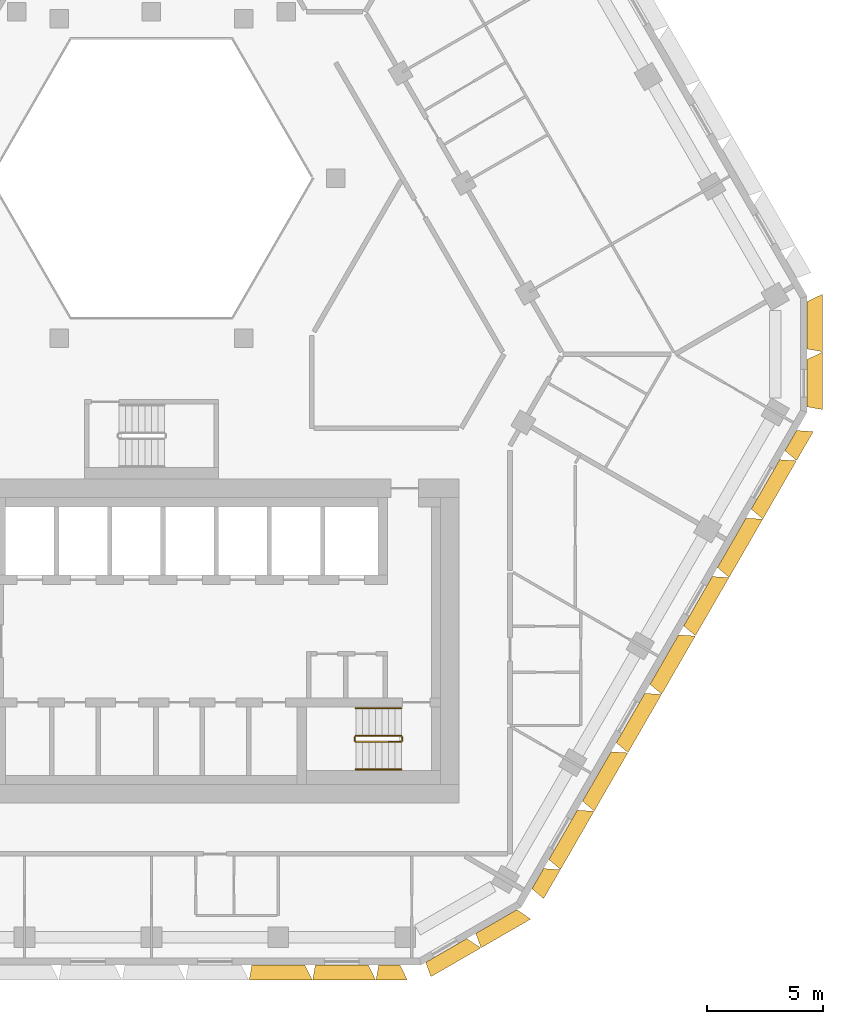
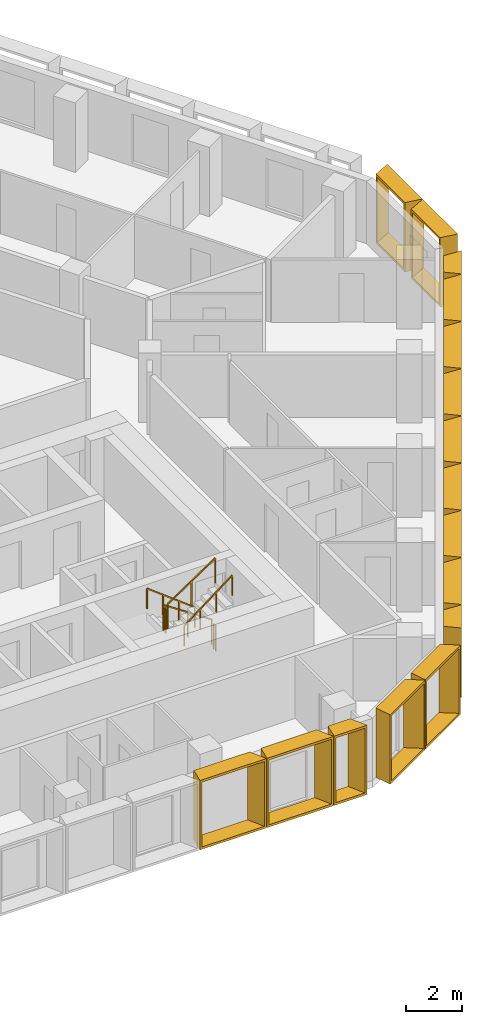
# One storey, part 14 of 15: 16 shading devices, 6 railings.
"""IFC4 building model written with IfcOpenShell, lengths in metres."""

import ifcopenshell
import ifcopenshell.guid

model = None  # the IFC model being written
_history = None  # IfcOwnerHistory: only IFC2X3 demands one
_inside = {}  # id of a spatial element -> (the spatial element, [elements in it])
_under = {}  # id of a project, library or spatial element -> (it, [spatial elements below it])
_declared = {}  # id of a project -> (the project, [libraries it declares])
_typed = {}  # id of a type object -> (the type object, [elements of that type])
_made_of = {}  # id of a material, layer set ... -> (it, [elements and type objects made of it])


def new_model(schema):
    """Start an empty IFC model of exactly this schema.

    Asked for "IFC4X3", IfcOpenShell would pick the latest addendum, in which some entities
    have other attributes; the version numbers below select the first issue.
    IFC2X3 requires an IfcOwnerHistory on every rooted entity: one is made here for all.
    """
    global model, _history
    if schema == "IFC4X3":
        model = ifcopenshell.file(schema_version=(4, 3, 0, 0))
    else:
        model = ifcopenshell.file(schema=schema)
    _inside.clear()
    _under.clear()
    _declared.clear()
    _typed.clear()
    _made_of.clear()
    _history = None
    if model.schema == "IFC2X3":
        org = make("IfcOrganization", Name="unknown")
        user = make(
            "IfcPersonAndOrganization",
            ThePerson=make("IfcPerson", FamilyName="unknown"),
            TheOrganization=org,
        )
        app = make(
            "IfcApplication",
            ApplicationDeveloper=org,
            Version="unknown",
            ApplicationFullName="unknown",
            ApplicationIdentifier="unknown",
        )
        _history = make(
            "IfcOwnerHistory",
            OwningUser=user,
            OwningApplication=app,
            ChangeAction="ADDED",
            CreationDate=0,
        )
    return model


def make(cls, **values):
    """One entity of the class cls with the attributes given. An attribute that is None is left unset."""
    return model.create_entity(
        cls, **{name: value for name, value in values.items() if value is not None}
    )


def entity(cls, *values):
    """Any entity or typed value of the class cls, its attributes in the order of the schema. None: left unset."""
    e = model.create_entity(cls)
    for i, value in enumerate(values):
        if value is not None:
            e[i] = value
    return e


def rooted(cls, **values):
    """An entity with a GlobalId (a new one), such as an element, a storey or a relation."""
    return make(cls, GlobalId=ifcopenshell.guid.new(), OwnerHistory=_history, **values)


def si_unit(unit_type, name, prefix=None):
    """IfcSIUnit, for example si_unit("LENGTHUNIT", "METRE", prefix="MILLI")."""
    return make("IfcSIUnit", UnitType=unit_type, Prefix=prefix, Name=name)


def assignment(units):
    """IfcUnitAssignment: the units of a project."""
    return None if units is None else make("IfcUnitAssignment", Units=units)


def point(xyz):
    """IfcCartesianPoint."""
    return None if xyz is None else make("IfcCartesianPoint", Coordinates=xyz)


def direction(xyz):
    """IfcDirection."""
    return None if xyz is None else make("IfcDirection", DirectionRatios=xyz)


def frame(location, z_axis=None, x_axis=None):
    """IfcAxis2Placement3D, a coordinate frame: its origin and axes. An axis left out is left unset."""
    return make(
        "IfcAxis2Placement3D",
        Location=point(location),
        Axis=direction(z_axis),
        RefDirection=direction(x_axis),
    )


def frame_2d(location, x_axis=None):
    """IfcAxis2Placement2D, a coordinate frame in the plane: its origin and x axis."""
    return make(
        "IfcAxis2Placement2D", Location=point(location), RefDirection=direction(x_axis)
    )


def origin():
    """The frame at (0, 0, 0) with its axes left unset."""
    return frame((0.0, 0.0, 0.0))


def origin_2d():
    """The frame at (0, 0) in the plane with its x axis left unset."""
    return frame_2d((0.0, 0.0))


def place(relative_to, where):
    """IfcLocalPlacement: puts the frame where relative to a parent placement (None: the world)."""
    return make(
        "IfcLocalPlacement", PlacementRelTo=relative_to, RelativePlacement=where
    )


def context(
    kind, dimensions, precision=None, world=None, true_north=None, identifier=None
):
    """IfcGeometricRepresentationContext, for example the 3D "Model" context."""
    return make(
        "IfcGeometricRepresentationContext",
        ContextIdentifier=identifier,
        ContextType=kind,
        CoordinateSpaceDimension=dimensions,
        Precision=precision,
        WorldCoordinateSystem=world,
        TrueNorth=true_north,
    )


def subcontext(parent, identifier, kind, view, scale=None):
    """IfcGeometricRepresentationSubContext, for example "Body" below "Model"."""
    return make(
        "IfcGeometricRepresentationSubContext",
        ContextIdentifier=identifier,
        ContextType=kind,
        ParentContext=parent,
        TargetScale=scale,
        TargetView=view,
    )


def project(units=None, contexts=None):
    """IfcProject with its units and contexts."""
    return rooted(
        "IfcProject",
        Name="project",
        RepresentationContexts=contexts,
        UnitsInContext=assignment(units),
    )


def spatial(cls, under=None, at=None, **own):
    """A site, building, storey or space (cls), placed at a placement, below another one or the project."""
    s = rooted(cls, ObjectPlacement=at, **own)
    if under is not None:
        _under.setdefault(under.id(), (under, []))[1].append(s)
    return s


def profile(cls, at=None, kind="AREA", **sizes):
    """A parametric profile (cls). Its sizes go by their IFC names, for example OverallWidth=200.0."""
    return make(cls, ProfileType=kind, Position=at, **sizes)


def rectangle(**sizes):
    """IfcRectangleProfileDef."""
    return profile("IfcRectangleProfileDef", **sizes)


def extrude(swept, where, along, depth):
    """IfcExtrudedAreaSolid: the profile swept, set in the frame where, extruded along a direction by depth."""
    return make(
        "IfcExtrudedAreaSolid",
        SweptArea=swept,
        Position=where,
        ExtrudedDirection=direction(along),
        Depth=depth,
    )


def shape(context_of_items, identifier, shape_type, items):
    """IfcShapeRepresentation: the items that make up one representation, for example the "Body"."""
    return make(
        "IfcShapeRepresentation",
        ContextOfItems=context_of_items,
        RepresentationIdentifier=identifier,
        RepresentationType=shape_type,
        Items=items,
    )


def source(mapping_origin, context_of_items, identifier, shape_type, items):
    """IfcRepresentationMap: a shape defined once, which mapped items show again and again."""
    return make(
        "IfcRepresentationMap",
        MappingOrigin=mapping_origin,
        MappedRepresentation=shape(context_of_items, identifier, shape_type, items),
    )


def transform(
    local_origin,
    x_axis=None,
    y_axis=None,
    z_axis=None,
    scale=None,
    scale2=None,
    scale3=None,
    uniform=True,
):
    """IfcCartesianTransformationOperator3D, or its non-uniform kind. x_axis, y_axis, z_axis: its Axis1, 2, 3."""
    if uniform:
        return make(
            "IfcCartesianTransformationOperator3D",
            Axis1=direction(x_axis),
            Axis2=direction(y_axis),
            LocalOrigin=point(local_origin),
            Scale=scale,
            Axis3=direction(z_axis),
        )
    return make(
        "IfcCartesianTransformationOperator3DnonUniform",
        Axis1=direction(x_axis),
        Axis2=direction(y_axis),
        LocalOrigin=point(local_origin),
        Scale=scale,
        Axis3=direction(z_axis),
        Scale2=scale2,
        Scale3=scale3,
    )


def mapped(mapping_source, mapping_target):
    """IfcMappedItem: shows the shape of a source again, moved by a transform."""
    return make(
        "IfcMappedItem", MappingSource=mapping_source, MappingTarget=mapping_target
    )


def material(Name=None, Category=None):
    """IfcMaterial."""
    return make("IfcMaterial", Name=Name, Category=Category)


def made_of(thing, what):
    """Note that an element or type object is made of a material, layer set ...; save() writes the relation."""
    if what is not None:
        _made_of.setdefault(what.id(), (what, []))[1].append(thing)
    return thing


def type_object(cls, material=None, **own):
    """A type object (cls), such as IfcWallType, which elements share."""
    return made_of(rooted(cls, **own), material)


def type_shapes(of_type, sources):
    """Give a type object the sources (RepresentationMaps) that its elements show as mapped items."""
    of_type.RepresentationMaps = sources


def element(
    cls,
    number,
    at=None,
    inside=None,
    cuts=None,
    type_object=None,
    material=None,
    context=None,
    identifier="Body",
    shape_type=None,
    held_by="IfcProductDefinitionShape",
    body=None,
    shapes=None,
    **own,
):
    """One element of the class cls, such as IfcWall. Its Tag is "e" and its number.

    at: its placement. inside: the storey or other place that contains it. cuts: it is an
    opening in that element (IfcRelVoidsElement). A single representation is given by context,
    identifier, shape_type and body (its items); several are given by shapes. held_by: the class
    of the entity that holds the representations. save() writes the other relations.
    """
    e = rooted(cls, Tag="e%d" % number, ObjectPlacement=at, **own)
    if body is not None:
        shapes = [shape(context, identifier, shape_type, body)]
    if shapes is not None:
        e.Representation = make(held_by, Representations=shapes)
    if inside is not None:
        _inside.setdefault(inside.id(), (inside, []))[1].append(e)
    if cuts is not None:
        rooted(
            "IfcRelVoidsElement", RelatingBuildingElement=cuts, RelatedOpeningElement=e
        )
    if type_object is not None:
        _typed.setdefault(type_object.id(), (type_object, []))[1].append(e)
    return made_of(e, material)


def aggregate(whole, parts):
    """IfcRelAggregates: a whole, such as a stair, and the parts it consists of."""
    return rooted("IfcRelAggregates", RelatingObject=whole, RelatedObjects=parts)


def save(model, path):
    """Write the relations noted so far, then the file.

    IfcRelAggregates (storeys below a building ...), IfcRelContainedInSpatialStructure (elements
    in a storey), IfcRelDefinesByType, IfcRelAssociatesMaterial and IfcRelDeclares: one each for
    every whole, place, type object, material and project.
    """
    for whole, parts in _under.values():
        aggregate(whole, parts)
    for where, things in _inside.values():
        rooted(
            "IfcRelContainedInSpatialStructure",
            RelatedElements=things,
            RelatingStructure=where,
        )
    for kind, things in _typed.values():
        rooted("IfcRelDefinesByType", RelatedObjects=things, RelatingType=kind)
    for what, things in _made_of.values():
        rooted("IfcRelAssociatesMaterial", RelatedObjects=things, RelatingMaterial=what)
    for by, libraries in _declared.values():
        rooted("IfcRelDeclares", RelatingContext=by, RelatedDefinitions=libraries)
    model.write(path)


model = new_model("IFC4")

# Units and contexts
model_context = context("Model", 3, precision=1e-05, world=origin(), true_north=direction((0.0, 1.0)))
body_context = subcontext(model_context, "Body", "Model", "MODEL_VIEW")
ifc_project = project(units=[si_unit("LENGTHUNIT", "METRE"), si_unit("AREAUNIT", "SQUARE_METRE"), si_unit("VOLUMEUNIT", "CUBIC_METRE"), si_unit("PLANEANGLEUNIT", "RADIAN"), si_unit("MASSUNIT", "GRAM", prefix="KILO")], contexts=[model_context])

# Site, building, storey
site_placement = place(None, origin())
site = spatial("IfcSite", under=ifc_project, at=site_placement, CompositionType="ELEMENT")
building_placement = place(site_placement, origin())
building = spatial("IfcBuilding", under=site, at=building_placement, Name="Beryl Residences", CompositionType="ELEMENT")
storey_placement = place(building_placement, frame((0.0, 0.0, 135.60009765625)))
storey = spatial("IfcBuildingStorey", under=building, at=storey_placement, Name="L41", CompositionType="ELEMENT", Elevation=135.60009765625)

# Shading devices
ifc_material_1 = material(Name="Aluminium pale anodised", Category="aluminium")
shading_device_type_1 = type_object("IfcShadingDeviceType", Name="FR137-65C OUTER SKIN frame 650 mm deep, splay 10/26 deg, 1370 x 3000 mm cell", PredefinedType="USERDEFINED", material=ifc_material_1)
cartesian_point_1 = entity("IfcCartesianPoint", [-0.458984375, 0.0])
cartesian_point_2 = entity("IfcCartesianPoint", [-0.377685546875, 0.10009765625])
cartesian_point_3 = entity("IfcCartesianPoint", [-0.57373046875, 0.0])
cartesian_point_4 = entity("IfcCartesianPoint", [-0.492431640625, 0.10009765625])
shared_shape_1 = source(origin(), body_context, "Body", "SweptSolid", [
    entity("IfcExtrudedAreaSolidTapered", entity("IfcArbitraryProfileDefWithVoids", "AREA", None, entity("IfcPolyline", [cartesian_point_1, entity("IfcCartesianPoint", [0.458984375, 0.0]), entity("IfcCartesianPoint", [0.458984375, 3.0]), entity("IfcCartesianPoint", [-0.458984375, 3.0]), cartesian_point_1]), [entity("IfcPolyline", [cartesian_point_2, entity("IfcCartesianPoint", [0.369873046875, 0.10009765625]), entity("IfcCartesianPoint", [0.369873046875, 2.89990234375]), entity("IfcCartesianPoint", [-0.377685546875, 2.89990234375]), cartesian_point_2])]), entity("IfcAxis2Placement3D", entity("IfcCartesianPoint", [0.0, 0.0, 0.0]), entity("IfcDirection", [0.0, 1.0, 0.0]), entity("IfcDirection", [-1.0, 0.0, 0.0])), entity("IfcDirection", [0.0, 0.0, 1.0]), 0.64990234375, entity("IfcArbitraryProfileDefWithVoids", "AREA", None, entity("IfcPolyline", [cartesian_point_3, entity("IfcCartesianPoint", [0.776123046875, 0.0]), entity("IfcCartesianPoint", [0.776123046875, 3.0]), entity("IfcCartesianPoint", [-0.57373046875, 3.0]), cartesian_point_3]), [entity("IfcPolyline", [cartesian_point_4, entity("IfcCartesianPoint", [0.68701171875, 0.10009765625]), entity("IfcCartesianPoint", [0.68701171875, 2.89990234375]), entity("IfcCartesianPoint", [-0.492431640625, 2.89990234375]), cartesian_point_4])])),
])
type_shapes(shading_device_type_1, [shared_shape_1])
shading_device_placement = place(storey_placement, frame((10.284912109375, -26.0, 0.0), z_axis=(0.0, 0.0, 1.0), x_axis=(-1.0, 0.0, 0.0)))
element("IfcShadingDevice", 1, at=shading_device_placement, inside=storey, type_object=shading_device_type_1, Name="FR137-65C frame L41 S 9", ObjectType="OUTER SKIN", PredefinedType="USERDEFINED", context=body_context, shape_type="MappedRepresentation", body=[
    mapped(shared_shape_1, transform((0.0, 0.0, 0.0))),
])
ifc_material_2 = material(Name="Aluminium pale anodised", Category="aluminium")
shading_device_type_2 = type_object("IfcShadingDeviceType", Name="FR146-65C OUTER SKIN frame 650 mm deep, splay 10/26 deg, 1460 x 3000 mm cell", PredefinedType="USERDEFINED", material=ifc_material_2)
cartesian_point_5 = entity("IfcCartesianPoint", [-0.50390625, 0.0])
cartesian_point_6 = entity("IfcCartesianPoint", [-0.4228515625, 0.10009765625])
cartesian_point_7 = entity("IfcCartesianPoint", [-0.61865234375, 0.0])
cartesian_point_8 = entity("IfcCartesianPoint", [-0.537353515625, 0.10009765625])
shared_shape_2 = source(origin(), body_context, "Body", "SweptSolid", [
    entity("IfcExtrudedAreaSolidTapered", entity("IfcArbitraryProfileDefWithVoids", "AREA", None, entity("IfcPolyline", [cartesian_point_5, entity("IfcCartesianPoint", [0.50390625, 0.0]), entity("IfcCartesianPoint", [0.50390625, 3.0]), entity("IfcCartesianPoint", [-0.50390625, 3.0]), cartesian_point_5]), [entity("IfcPolyline", [cartesian_point_6, entity("IfcCartesianPoint", [0.4150390625, 0.10009765625]), entity("IfcCartesianPoint", [0.4150390625, 2.89990234375]), entity("IfcCartesianPoint", [-0.4228515625, 2.89990234375]), cartesian_point_6])]), entity("IfcAxis2Placement3D", entity("IfcCartesianPoint", [0.0, 0.0, 0.0]), entity("IfcDirection", [0.0, 1.0, 0.0]), entity("IfcDirection", [-1.0, 0.0, 0.0])), entity("IfcDirection", [0.0, 0.0, 1.0]), 0.64990234375, entity("IfcArbitraryProfileDefWithVoids", "AREA", None, entity("IfcPolyline", [cartesian_point_7, entity("IfcCartesianPoint", [0.821044921875, 0.0]), entity("IfcCartesianPoint", [0.821044921875, 3.0]), entity("IfcCartesianPoint", [-0.61865234375, 3.0]), cartesian_point_7]), [entity("IfcPolyline", [cartesian_point_8, entity("IfcCartesianPoint", [0.73193359375, 0.10009765625]), entity("IfcCartesianPoint", [0.73193359375, 2.89990234375]), entity("IfcCartesianPoint", [-0.537353515625, 2.89990234375]), cartesian_point_8])])),
])
type_shapes(shading_device_type_2, [shared_shape_2])
for number, where, z_axis, x_axis, name in (
    (2, (16.702880859375, -22.26904296875, 0.0), (0.0, 0.0, 1.0), (-0.5, -0.866025403784, 0.0), "FR146-65C frame L41 SE 1"),
    (3, (27.635986328125, -3.33203125, 0.0), (0.0, 0.0, 1.0), (-0.5, -0.866025403784, 0.0), "FR146-65C frame L41 SE 9"),
):
    element("IfcShadingDevice", number, at=place(storey_placement, frame(where, z_axis=z_axis, x_axis=x_axis)), inside=storey, type_object=shading_device_type_2, Name=name, ObjectType="OUTER SKIN", PredefinedType="USERDEFINED", context=body_context, shape_type="MappedRepresentation", body=[
        mapped(shared_shape_2, transform((0.0, 0.0, 0.0))),
    ])
ifc_material_3 = material(Name="Aluminium pale anodised", Category="aluminium")
shading_device_type_3 = type_object("IfcShadingDeviceType", Name="FR250-65C OUTER SKIN frame 650 mm deep, splay 10/26 deg, 2500 x 3000 mm cell", PredefinedType="USERDEFINED", material=ifc_material_3)
cartesian_point_9 = entity("IfcCartesianPoint", [-1.02392578125, 0.0])
cartesian_point_10 = entity("IfcCartesianPoint", [-0.94287109375, 0.10009765625])
cartesian_point_11 = entity("IfcCartesianPoint", [-1.138671875, 0.0])
cartesian_point_12 = entity("IfcCartesianPoint", [-1.057373046875, 0.10009765625])
shared_shape_3 = source(origin(), body_context, "Body", "SweptSolid", [
    entity("IfcExtrudedAreaSolidTapered", entity("IfcArbitraryProfileDefWithVoids", "AREA", None, entity("IfcPolyline", [cartesian_point_9, entity("IfcCartesianPoint", [1.02392578125, 0.0]), entity("IfcCartesianPoint", [1.02392578125, 3.0]), entity("IfcCartesianPoint", [-1.02392578125, 3.0]), cartesian_point_9]), [entity("IfcPolyline", [cartesian_point_10, entity("IfcCartesianPoint", [0.93505859375, 0.10009765625]), entity("IfcCartesianPoint", [0.93505859375, 2.89990234375]), entity("IfcCartesianPoint", [-0.94287109375, 2.89990234375]), cartesian_point_10])]), entity("IfcAxis2Placement3D", entity("IfcCartesianPoint", [0.0, 0.0, 0.0]), entity("IfcDirection", [0.0, 1.0, 0.0]), entity("IfcDirection", [-1.0, 0.0, 0.0])), entity("IfcDirection", [0.0, 0.0, 1.0]), 0.64990234375, entity("IfcArbitraryProfileDefWithVoids", "AREA", None, entity("IfcPolyline", [cartesian_point_11, entity("IfcCartesianPoint", [1.341064453125, 0.0]), entity("IfcCartesianPoint", [1.341064453125, 3.0]), entity("IfcCartesianPoint", [-1.138671875, 3.0]), cartesian_point_11]), [entity("IfcPolyline", [cartesian_point_12, entity("IfcCartesianPoint", [1.251953125, 0.10009765625]), entity("IfcCartesianPoint", [1.251953125, 2.89990234375]), entity("IfcCartesianPoint", [-1.057373046875, 2.89990234375]), cartesian_point_12])])),
])
type_shapes(shading_device_type_3, [shared_shape_3])
for number, where, z_axis, x_axis, name in (
    (4, (12.7451171875, -25.375, 0.0), (0.0, 0.0, 1.0), (-0.866025403784, -0.5, 0.0), "FR250-65C frame L41 S-SE 1"),
    (5, (14.909912109375, -24.125, 0.0), (0.0, 0.0, 1.0), (-0.866025403784, -0.5, 0.0), "FR250-65C frame L41 S-SE 2"),
    (6, (28.347900390625, -0.85009765625, 0.0), (0.0, 0.0, 1.0), (0.0, -1.0, 0.0), "FR250-65C frame L41 SE-NE 1"),
    (7, (28.347900390625, 1.64990234375, 0.0), (0.0, 0.0, 1.0), (0.0, -1.0, 0.0), "FR250-65C frame L41 SE-NE 2"),
):
    element("IfcShadingDevice", number, at=place(storey_placement, frame(where, z_axis=z_axis, x_axis=x_axis)), inside=storey, type_object=shading_device_type_3, Name=name, ObjectType="OUTER SKIN", PredefinedType="USERDEFINED", context=body_context, shape_type="MappedRepresentation", body=[
        mapped(shared_shape_3, transform((0.0, 0.0, 0.0))),
    ])
ifc_material_4 = material(Name="Aluminium pale anodised", Category="aluminium")
shading_device_type_4 = type_object("IfcShadingDeviceType", Name="FR274-65C OUTER SKIN frame 650 mm deep, splay 10/26 deg, 2740 x 3000 mm cell", PredefinedType="USERDEFINED", material=ifc_material_4)
cartesian_point_13 = entity("IfcCartesianPoint", [-1.14404296875, 0.0])
cartesian_point_14 = entity("IfcCartesianPoint", [-1.062744140625, 0.10009765625])
cartesian_point_15 = entity("IfcCartesianPoint", [-1.258544921875, 0.0])
cartesian_point_16 = entity("IfcCartesianPoint", [-1.177490234375, 0.10009765625])
shared_shape_4 = source(origin(), body_context, "Body", "SweptSolid", [
    entity("IfcExtrudedAreaSolidTapered", entity("IfcArbitraryProfileDefWithVoids", "AREA", None, entity("IfcPolyline", [cartesian_point_13, entity("IfcCartesianPoint", [1.14404296875, 0.0]), entity("IfcCartesianPoint", [1.14404296875, 3.0]), entity("IfcCartesianPoint", [-1.14404296875, 3.0]), cartesian_point_13]), [entity("IfcPolyline", [cartesian_point_14, entity("IfcCartesianPoint", [1.054931640625, 0.10009765625]), entity("IfcCartesianPoint", [1.054931640625, 2.89990234375]), entity("IfcCartesianPoint", [-1.062744140625, 2.89990234375]), cartesian_point_14])]), entity("IfcAxis2Placement3D", entity("IfcCartesianPoint", [0.0, 0.0, 0.0]), entity("IfcDirection", [0.0, 1.0, 0.0]), entity("IfcDirection", [-1.0, 0.0, 0.0])), entity("IfcDirection", [0.0, 0.0, 1.0]), 0.64990234375, entity("IfcArbitraryProfileDefWithVoids", "AREA", None, entity("IfcPolyline", [cartesian_point_15, entity("IfcCartesianPoint", [1.4609375, 0.0]), entity("IfcCartesianPoint", [1.4609375, 3.0]), entity("IfcCartesianPoint", [-1.258544921875, 3.0]), cartesian_point_15]), [entity("IfcPolyline", [cartesian_point_16, entity("IfcCartesianPoint", [1.3720703125, 0.10009765625]), entity("IfcCartesianPoint", [1.3720703125, 2.89990234375]), entity("IfcCartesianPoint", [-1.177490234375, 2.89990234375]), cartesian_point_16])])),
])
type_shapes(shading_device_type_4, [shared_shape_4])
for number, where, z_axis, x_axis, name in (
    (8, (5.486083984375, -26.0, 0.0), (0.0, 0.0, 1.0), (-1.0, 0.0, 0.0), "FR274-65C frame L41 S 7"),
    (9, (8.22900390625, -26.0, 0.0), (0.0, 0.0, 1.0), (-1.0, 0.0, 0.0), "FR274-65C frame L41 S 8"),
):
    element("IfcShadingDevice", number, at=place(storey_placement, frame(where, z_axis=z_axis, x_axis=x_axis)), inside=storey, type_object=shading_device_type_4, Name=name, ObjectType="OUTER SKIN", PredefinedType="USERDEFINED", context=body_context, shape_type="MappedRepresentation", body=[
        mapped(shared_shape_4, transform((0.0, 0.0, 0.0))),
    ])
ifc_material_5 = material(Name="Aluminium pale anodised", Category="aluminium")
shading_device_type_5 = type_object("IfcShadingDeviceType", Name="FR292-65C OUTER SKIN frame 650 mm deep, splay 10/26 deg, 2920 x 3000 mm cell", PredefinedType="USERDEFINED", material=ifc_material_5)
cartesian_point_17 = entity("IfcCartesianPoint", [-1.23388671875, 0.0])
cartesian_point_18 = entity("IfcCartesianPoint", [-1.15283203125, 0.10009765625])
cartesian_point_19 = entity("IfcCartesianPoint", [-1.3486328125, 0.0])
cartesian_point_20 = entity("IfcCartesianPoint", [-1.267333984375, 0.10009765625])
shared_shape_5 = source(origin(), body_context, "Body", "SweptSolid", [
    entity("IfcExtrudedAreaSolidTapered", entity("IfcArbitraryProfileDefWithVoids", "AREA", None, entity("IfcPolyline", [cartesian_point_17, entity("IfcCartesianPoint", [1.23388671875, 0.0]), entity("IfcCartesianPoint", [1.23388671875, 3.0]), entity("IfcCartesianPoint", [-1.23388671875, 3.0]), cartesian_point_17]), [entity("IfcPolyline", [cartesian_point_18, entity("IfcCartesianPoint", [1.14501953125, 0.10009765625]), entity("IfcCartesianPoint", [1.14501953125, 2.89990234375]), entity("IfcCartesianPoint", [-1.15283203125, 2.89990234375]), cartesian_point_18])]), entity("IfcAxis2Placement3D", entity("IfcCartesianPoint", [0.0, 0.0, 0.0]), entity("IfcDirection", [0.0, 1.0, 0.0]), entity("IfcDirection", [-1.0, 0.0, 0.0])), entity("IfcDirection", [0.0, 0.0, 1.0]), 0.64990234375, entity("IfcArbitraryProfileDefWithVoids", "AREA", None, entity("IfcPolyline", [cartesian_point_19, entity("IfcCartesianPoint", [1.551025390625, 0.0]), entity("IfcCartesianPoint", [1.551025390625, 3.0]), entity("IfcCartesianPoint", [-1.3486328125, 3.0]), cartesian_point_19]), [entity("IfcPolyline", [cartesian_point_20, entity("IfcCartesianPoint", [1.4619140625, 0.10009765625]), entity("IfcCartesianPoint", [1.4619140625, 2.89990234375]), entity("IfcCartesianPoint", [-1.267333984375, 2.89990234375]), cartesian_point_20])])),
])
type_shapes(shading_device_type_5, [shared_shape_5])
for number, where, z_axis, x_axis, name in (
    (10, (17.7958984375, -20.3759765625, 0.0), (0.0, 0.0, 1.0), (-0.5, -0.866025403784, 0.0), "FR292-65C frame L41 SE 2"),
    (11, (19.25390625, -17.85107421875, 0.0), (0.0, 0.0, 1.0), (-0.5, -0.866025403784, 0.0), "FR292-65C frame L41 SE 3"),
    (12, (20.7119140625, -15.325927734375, 0.0), (0.0, 0.0, 1.0), (-0.5, -0.866025403784, 0.0), "FR292-65C frame L41 SE 4"),
    (13, (22.169921875, -12.801025390625, 0.0), (0.0, 0.0, 1.0), (-0.5, -0.866025403784, 0.0), "FR292-65C frame L41 SE 5"),
    (14, (23.626953125, -10.27587890625, 0.0), (0.0, 0.0, 1.0), (-0.5, -0.866025403784, 0.0), "FR292-65C frame L41 SE 6"),
    (15, (25.0849609375, -7.7509765625, 0.0), (0.0, 0.0, 1.0), (-0.5, -0.866025403784, 0.0), "FR292-65C frame L41 SE 7"),
    (16, (26.54296875, -5.22607421875, 0.0), (0.0, 0.0, 1.0), (-0.5, -0.866025403784, 0.0), "FR292-65C frame L41 SE 8"),
):
    element("IfcShadingDevice", number, at=place(storey_placement, frame(where, z_axis=z_axis, x_axis=x_axis)), inside=storey, type_object=shading_device_type_5, Name=name, ObjectType="OUTER SKIN", PredefinedType="USERDEFINED", context=body_context, shape_type="MappedRepresentation", body=[
        mapped(shared_shape_5, transform((0.0, 0.0, 0.0))),
    ])

# Railings
ifc_material_6 = material(Name="Stainless steel balustrade with glass infill", Category="steel")
railing_type_1 = type_object("IfcRailingType", Name="SG1 stair guard 1100 mm", PredefinedType="GUARDRAIL", material=ifc_material_6)
railing_1_placement = place(storey_placement, frame((10.800048828125, -16.10009765625, 0.1875)))
element("IfcRailing", 17, at=railing_1_placement, inside=storey, type_object=railing_type_1, Name="L41 ST-3 stair guard 1", PredefinedType="GUARDRAIL", context=body_context, shape_type="SweptSolid", body=[
    extrude(rectangle(XDim=0.048095703125, YDim=0.048095703125, at=origin_2d()), frame((0.0, 0.0, 1.076171875), z_axis=(-0.830902050051, 0.0, 0.556418712142), x_axis=(0.0, -1.0, 0.0)), (0.0, 0.0, 1.0), 2.35888671875),
    extrude(rectangle(XDim=0.0419921875, YDim=0.0419921875, at=origin_2d()), origin(), (0.0, 0.0, 1.0), 1.052001953125),
    extrude(rectangle(XDim=0.0419921875, YDim=0.0419921875, at=origin_2d()), frame((-0.97998046875, 0.0, 0.65625)), (0.0, 0.0, 1.0), 1.052001953125),
    extrude(rectangle(XDim=0.0419921875, YDim=0.0419921875, at=origin_2d()), frame((-1.9599609375, 0.0, 1.3125)), (0.0, 0.0, 1.0), 1.052001953125),
])
railing_2_placement = place(storey_placement, frame((8.7900390625, -16.14990234375, 1.5)))
element("IfcRailing", 18, at=railing_2_placement, inside=storey, type_object=railing_type_1, Name="L41 ST-3 stair guard 2", PredefinedType="GUARDRAIL", context=body_context, shape_type="SweptSolid", body=[
    extrude(rectangle(XDim=0.048095703125, YDim=0.048095703125, at=origin_2d()), frame((0.0, 0.0, 1.076171875), z_axis=(0.0, -1.0, 0.0), x_axis=(1.0, 0.0, 0.0)), (0.0, 0.0, 1.0), 0.150146484375),
    extrude(rectangle(XDim=0.0419921875, YDim=0.0419921875, at=origin_2d()), origin(), (0.0, 0.0, 1.0), 1.052001953125),
    extrude(rectangle(XDim=0.0419921875, YDim=0.0419921875, at=origin_2d()), frame((0.0, -0.150146484375, 0.0)), (0.0, 0.0, 1.0), 1.052001953125),
])
railing_3_placement = place(storey_placement, frame((8.840087890625, -16.35009765625, 1.6875)))
element("IfcRailing", 19, at=railing_3_placement, inside=storey, type_object=railing_type_1, Name="L41 ST-3 stair guard 3", PredefinedType="GUARDRAIL", context=body_context, shape_type="SweptSolid", body=[
    extrude(rectangle(XDim=0.048095703125, YDim=0.048095703125, at=origin_2d()), frame((0.0, 0.0, 1.076171875), z_axis=(0.830902050051, 0.0, 0.556418712142), x_axis=(0.0, 1.0, 0.0)), (0.0, 0.0, 1.0), 2.35888671875),
    extrude(rectangle(XDim=0.0419921875, YDim=0.0419921875, at=origin_2d()), origin(), (0.0, 0.0, 1.0), 1.052001953125),
    extrude(rectangle(XDim=0.0419921875, YDim=0.0419921875, at=origin_2d()), frame((0.97998046875, 0.0, 0.65625)), (0.0, 0.0, 1.0), 1.052001953125),
    extrude(rectangle(XDim=0.0419921875, YDim=0.0419921875, at=origin_2d()), frame((1.9599609375, 0.0, 1.3125)), (0.0, 0.0, 1.0), 1.052001953125),
])
railing_4_placement = place(storey_placement, frame((10.85009765625, -16.14990234375, 0.0)))
element("IfcRailing", 20, at=railing_4_placement, inside=storey, type_object=railing_type_1, Name="L41 ST-3 stair guard 4", PredefinedType="GUARDRAIL", context=body_context, shape_type="SweptSolid", body=[
    extrude(rectangle(XDim=0.048095703125, YDim=0.048095703125, at=origin_2d()), frame((0.0, 0.0, 1.076171875), z_axis=(0.0, -1.0, 0.0), x_axis=(1.0, 0.0, 0.0)), (0.0, 0.0, 1.0), 0.150146484375),
    extrude(rectangle(XDim=0.0419921875, YDim=0.0419921875, at=origin_2d()), origin(), (0.0, 0.0, 1.0), 1.052001953125),
    extrude(rectangle(XDim=0.0419921875, YDim=0.0419921875, at=origin_2d()), frame((0.0, -0.150146484375, 0.0)), (0.0, 0.0, 1.0), 1.052001953125),
])
ifc_material_7 = material(Name="Stainless steel handrail", Category="steel")
railing_type_2 = type_object("IfcRailingType", Name="SRL1 stair handrail 900 mm", PredefinedType="HANDRAIL", material=ifc_material_7)
railing_5_placement = place(storey_placement, frame((10.800048828125, -14.89990234375, 0.1875)))
element("IfcRailing", 21, at=railing_5_placement, inside=storey, type_object=railing_type_2, Name="L41 ST-3 stair handrail 1", PredefinedType="HANDRAIL", context=body_context, shape_type="SweptSolid", body=[
    extrude(rectangle(XDim=0.048095703125, YDim=0.048095703125, at=origin_2d()), frame((0.0, 0.0, 0.8759765625), z_axis=(-0.794121922505, 0.0, 0.607758481798), x_axis=(0.0, -1.0, 0.0)), (0.0, 0.0, 1.0), 2.468017578125),
    extrude(rectangle(XDim=0.0419921875, YDim=0.0419921875, at=origin_2d()), origin(), (0.0, 0.0, 1.0), 0.851806640625),
    extrude(rectangle(XDim=0.0419921875, YDim=0.0419921875, at=origin_2d()), frame((-0.6533203125, 0.0, 0.5)), (0.0, 0.0, 1.0), 0.851806640625),
    extrude(rectangle(XDim=0.0419921875, YDim=0.0419921875, at=origin_2d()), frame((-1.306640625, 0.0, 1.0)), (0.0, 0.0, 1.0), 0.851806640625),
    extrude(rectangle(XDim=0.0419921875, YDim=0.0419921875, at=origin_2d()), frame((-1.9599609375, 0.0, 1.5)), (0.0, 0.0, 1.0), 0.851806640625),
])
railing_6_placement = place(storey_placement, frame((8.840087890625, -17.550048828125, 1.6875)))
element("IfcRailing", 22, at=railing_6_placement, inside=storey, type_object=railing_type_2, Name="L41 ST-3 stair handrail 2", PredefinedType="HANDRAIL", context=body_context, shape_type="SweptSolid", body=[
    extrude(rectangle(XDim=0.048095703125, YDim=0.048095703125, at=origin_2d()), frame((0.0, 0.0, 0.8759765625), z_axis=(0.794121922505, 0.0, 0.607758481798), x_axis=(0.0, 1.0, 0.0)), (0.0, 0.0, 1.0), 2.468017578125),
    extrude(rectangle(XDim=0.0419921875, YDim=0.0419921875, at=origin_2d()), origin(), (0.0, 0.0, 1.0), 0.851806640625),
    extrude(rectangle(XDim=0.0419921875, YDim=0.0419921875, at=origin_2d()), frame((0.6533203125, 0.0, 0.5)), (0.0, 0.0, 1.0), 0.851806640625),
    extrude(rectangle(XDim=0.0419921875, YDim=0.0419921875, at=origin_2d()), frame((1.306640625, 0.0, 1.0)), (0.0, 0.0, 1.0), 0.851806640625),
    extrude(rectangle(XDim=0.0419921875, YDim=0.0419921875, at=origin_2d()), frame((1.9599609375, 0.0, 1.5)), (0.0, 0.0, 1.0), 0.851806640625),
])

save(model, "model.ifc")
